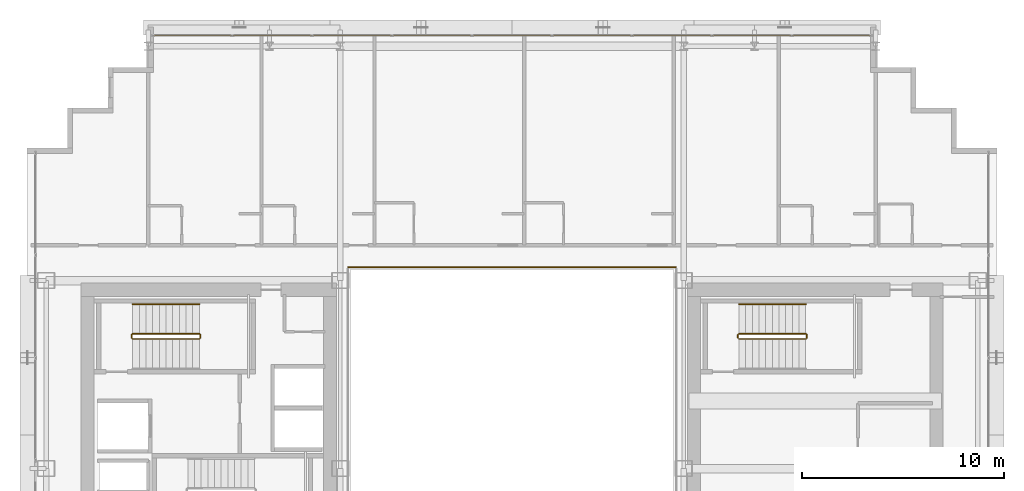
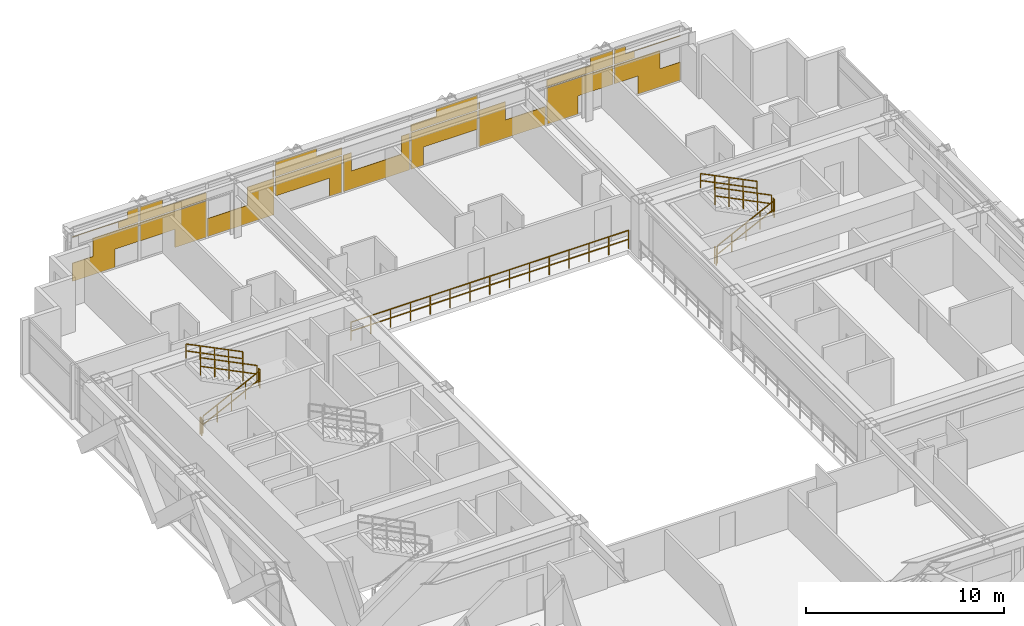
# One storey, part 35 of 35: 11 railings, 1 covering.
"""IFC4 building model written with IfcOpenShell, lengths in metres."""

from ifc_helpers import new_model, si_unit, direction, frame, origin, origin_2d, place, context, subcontext, project, spatial, rectangle, extrude, material, layer, layer_set, type_object, element, save


model = new_model("IFC4")

# Units and contexts
model_context = context("Model", 3, precision=1e-05, world=origin(), true_north=direction((0.0, 1.0)))
body_context = subcontext(model_context, "Body", "Model", "MODEL_VIEW")
ifc_project = project(units=[si_unit("LENGTHUNIT", "METRE"), si_unit("AREAUNIT", "SQUARE_METRE"), si_unit("VOLUMEUNIT", "CUBIC_METRE"), si_unit("PLANEANGLEUNIT", "RADIAN"), si_unit("MASSUNIT", "GRAM", prefix="KILO")], contexts=[model_context])

# Site, building, storey
site_placement = place(None, origin())
site = spatial("IfcSite", under=ifc_project, at=site_placement, CompositionType="ELEMENT")
building_placement = place(site_placement, origin())
building = spatial("IfcBuilding", under=site, at=building_placement, Name="Ocotamira Hotel", CompositionType="ELEMENT")
storey_placement = place(building_placement, frame((0.0, 0.0, 140.39990234375)))
storey = spatial("IfcBuildingStorey", under=building, at=storey_placement, Name="L35", CompositionType="ELEMENT", Elevation=140.39990234375)

# Covering
ifc_material_1 = material(Name="Insulated pale-metal aluminium spandrel panel", Category="aluminium")
ifc_layer = layer(ifc_material_1, 0.044921875)
ifc_layer_set = layer_set([ifc_layer], Name="Insulated pale-metal aluminium spandrel panel")
covering_type = type_object("IfcCoveringType", Name="COV-INFILL-45", PredefinedType="CLADDING", material=ifc_layer_set)
covering_placement = place(storey_placement, origin())
element("IfcCovering", 1, at=covering_placement, inside=storey, type_object=covering_type, Name="L35 Curtain Wall Infill CW-3 CW-L35-N", PredefinedType="CLADDING", context=body_context, shape_type="SweptSolid", body=[
    extrude(rectangle(XDim=2.464111328125, YDim=0.044921875, at=origin_2d()), frame((15.512451171875, 49.580078125, 0.07568359375), z_axis=(0.0, 0.0, 1.0), x_axis=(1.0, 0.0, 0.0)), (0.0, 0.0, 1.0), 1.117919921875),
    extrude(rectangle(XDim=2.650146484375, YDim=0.044921875, at=origin_2d()), frame((16.7900390625, 49.580078125, 1.1943359375), z_axis=(0.0, 0.0, 1.0), x_axis=(1.0, 0.0, 0.0)), (0.0, 0.0, 1.0), 1.117919921875),
    extrude(rectangle(XDim=3.834716796875, YDim=0.044921875, at=origin_2d()), frame((16.19775390625, 49.580078125, 2.78271484375), z_axis=(0.0, 0.0, 1.0), x_axis=(1.0, 0.0, 0.0)), (0.0, 0.0, 1.0), 0.0302734375),
    extrude(rectangle(XDim=1.157958984375, YDim=0.044921875, at=origin_2d()), frame((17.5361328125, 49.580078125, 2.38818359375), z_axis=(0.0, 0.0, 1.0), x_axis=(1.0, 0.0, 0.0)), (0.0, 0.0, 1.0), 0.3935546875),
    extrude(rectangle(XDim=0.625732421875, YDim=0.044921875, at=origin_2d()), frame((17.80224609375, 49.580078125, 2.81396484375), z_axis=(0.0, 0.0, 1.0), x_axis=(1.0, 0.0, 0.0)), (0.0, 0.0, 1.0), 0.470703125),
    extrude(rectangle(XDim=3.87451171875, YDim=0.044921875, at=origin_2d()), frame((20.13330078125, 49.580078125, 1.1943359375), z_axis=(0.0, 0.0, 1.0), x_axis=(1.0, 0.0, 0.0)), (0.0, 0.0, 1.0), 1.117919921875),
    extrude(rectangle(XDim=1.815185546875, YDim=0.044921875, at=origin_2d()), frame((21.1630859375, 49.580078125, 0.07568359375), z_axis=(0.0, 0.0, 1.0), x_axis=(1.0, 0.0, 0.0)), (0.0, 0.0, 1.0), 1.117919921875),
    extrude(rectangle(XDim=3.87451171875, YDim=0.044921875, at=origin_2d()), frame((20.13330078125, 49.580078125, 2.38818359375), z_axis=(0.0, 0.0, 1.0), x_axis=(1.0, 0.0, 0.0)), (0.0, 0.0, 1.0), 0.4248046875),
    extrude(rectangle(XDim=1.314697265625, YDim=0.044921875, at=origin_2d()), frame((18.853515625, 49.580078125, 2.81396484375), z_axis=(0.0, 0.0, 1.0), x_axis=(1.0, 0.0, 0.0)), (0.0, 0.0, 1.0), 0.470703125),
    extrude(rectangle(XDim=3.87451171875, YDim=0.044921875, at=origin_2d()), frame((24.0888671875, 49.580078125, 0.07568359375), z_axis=(0.0, 0.0, 1.0), x_axis=(1.0, 0.0, 0.0)), (0.0, 0.0, 1.0), 1.117919921875),
    extrude(rectangle(XDim=1.561279296875, YDim=0.044921875, at=origin_2d()), frame((25.24560546875, 49.580078125, 1.1943359375), z_axis=(0.0, 0.0, 1.0), x_axis=(1.0, 0.0, 0.0)), (0.0, 0.0, 1.0), 1.117919921875),
    extrude(rectangle(XDim=0.069091796875, YDim=0.044921875, at=origin_2d()), frame((25.99169921875, 49.580078125, 2.38818359375), z_axis=(0.0, 0.0, 1.0), x_axis=(1.0, 0.0, 0.0)), (0.0, 0.0, 1.0), 0.4248046875),
    extrude(rectangle(XDim=3.87451171875, YDim=0.044921875, at=origin_2d()), frame((28.04443359375, 49.580078125, 1.1943359375), z_axis=(0.0, 0.0, 1.0), x_axis=(1.0, 0.0, 0.0)), (0.0, 0.0, 1.0), 1.117919921875),
    extrude(rectangle(XDim=0.726318359375, YDim=0.044921875, at=origin_2d()), frame((29.61865234375, 49.580078125, 0.07568359375), z_axis=(0.0, 0.0, 1.0), x_axis=(1.0, 0.0, 0.0)), (0.0, 0.0, 1.0), 1.117919921875),
    extrude(rectangle(XDim=3.87451171875, YDim=0.044921875, at=origin_2d()), frame((28.04443359375, 49.580078125, 2.38818359375), z_axis=(0.0, 0.0, 1.0), x_axis=(1.0, 0.0, 0.0)), (0.0, 0.0, 1.0), 0.4248046875),
    extrude(rectangle(XDim=2.403564453125, YDim=0.044921875, at=origin_2d()), frame((27.308837890625, 49.580078125, 2.81396484375), z_axis=(0.0, 0.0, 1.0), x_axis=(1.0, 0.0, 0.0)), (0.0, 0.0, 1.0), 0.470703125),
    extrude(rectangle(XDim=3.87451171875, YDim=0.044921875, at=origin_2d()), frame((32.0, 49.580078125, 0.07568359375), z_axis=(0.0, 0.0, 1.0), x_axis=(1.0, 0.0, 0.0)), (0.0, 0.0, 1.0), 1.117919921875),
    extrude(rectangle(XDim=0.472412109375, YDim=0.044921875, at=origin_2d()), frame((30.298828125, 49.580078125, 1.1943359375), z_axis=(0.0, 0.0, 1.0), x_axis=(1.0, 0.0, 0.0)), (0.0, 0.0, 1.0), 1.117919921875),
    extrude(rectangle(XDim=0.472412109375, YDim=0.044921875, at=origin_2d()), frame((33.701171875, 49.580078125, 1.1943359375), z_axis=(0.0, 0.0, 1.0), x_axis=(1.0, 0.0, 0.0)), (0.0, 0.0, 1.0), 1.117919921875),
    extrude(rectangle(XDim=0.726318359375, YDim=0.044921875, at=origin_2d()), frame((34.38134765625, 49.580078125, 0.07568359375), z_axis=(0.0, 0.0, 1.0), x_axis=(1.0, 0.0, 0.0)), (0.0, 0.0, 1.0), 1.117919921875),
    extrude(rectangle(XDim=3.87451171875, YDim=0.044921875, at=origin_2d()), frame((35.95556640625, 49.580078125, 1.1943359375), z_axis=(0.0, 0.0, 1.0), x_axis=(1.0, 0.0, 0.0)), (0.0, 0.0, 1.0), 1.117919921875),
    extrude(rectangle(XDim=3.87451171875, YDim=0.044921875, at=origin_2d()), frame((35.95556640625, 49.580078125, 2.38818359375), z_axis=(0.0, 0.0, 1.0), x_axis=(1.0, 0.0, 0.0)), (0.0, 0.0, 1.0), 0.4248046875),
    extrude(rectangle(XDim=2.403564453125, YDim=0.044921875, at=origin_2d()), frame((36.691162109375, 49.580078125, 2.81396484375), z_axis=(0.0, 0.0, 1.0), x_axis=(1.0, 0.0, 0.0)), (0.0, 0.0, 1.0), 0.470703125),
    extrude(rectangle(XDim=3.87451171875, YDim=0.044921875, at=origin_2d()), frame((39.9111328125, 49.580078125, 0.07568359375), z_axis=(0.0, 0.0, 1.0), x_axis=(1.0, 0.0, 0.0)), (0.0, 0.0, 1.0), 1.117919921875),
    extrude(rectangle(XDim=1.561279296875, YDim=0.044921875, at=origin_2d()), frame((38.75439453125, 49.580078125, 1.1943359375), z_axis=(0.0, 0.0, 1.0), x_axis=(1.0, 0.0, 0.0)), (0.0, 0.0, 1.0), 1.117919921875),
    extrude(rectangle(XDim=0.069091796875, YDim=0.044921875, at=origin_2d()), frame((38.00830078125, 49.580078125, 2.38818359375), z_axis=(0.0, 0.0, 1.0), x_axis=(1.0, 0.0, 0.0)), (0.0, 0.0, 1.0), 0.4248046875),
    extrude(rectangle(XDim=1.815185546875, YDim=0.044921875, at=origin_2d()), frame((42.8369140625, 49.580078125, 0.07568359375), z_axis=(0.0, 0.0, 1.0), x_axis=(1.0, 0.0, 0.0)), (0.0, 0.0, 1.0), 1.117919921875),
    extrude(rectangle(XDim=3.87451171875, YDim=0.044921875, at=origin_2d()), frame((43.86669921875, 49.580078125, 1.1943359375), z_axis=(0.0, 0.0, 1.0), x_axis=(1.0, 0.0, 0.0)), (0.0, 0.0, 1.0), 1.117919921875),
    extrude(rectangle(XDim=3.87451171875, YDim=0.044921875, at=origin_2d()), frame((43.86669921875, 49.580078125, 2.38818359375), z_axis=(0.0, 0.0, 1.0), x_axis=(1.0, 0.0, 0.0)), (0.0, 0.0, 1.0), 0.4248046875),
    extrude(rectangle(XDim=1.314697265625, YDim=0.044921875, at=origin_2d()), frame((45.146484375, 49.580078125, 2.81396484375), z_axis=(0.0, 0.0, 1.0), x_axis=(1.0, 0.0, 0.0)), (0.0, 0.0, 1.0), 0.470703125),
    extrude(rectangle(XDim=2.650146484375, YDim=0.044921875, at=origin_2d()), frame((47.2099609375, 49.580078125, 1.1943359375), z_axis=(0.0, 0.0, 1.0), x_axis=(1.0, 0.0, 0.0)), (0.0, 0.0, 1.0), 1.117919921875),
    extrude(rectangle(XDim=2.464111328125, YDim=0.044921875, at=origin_2d()), frame((48.487548828125, 49.580078125, 0.07568359375), z_axis=(0.0, 0.0, 1.0), x_axis=(1.0, 0.0, 0.0)), (0.0, 0.0, 1.0), 1.117919921875),
    extrude(rectangle(XDim=1.157958984375, YDim=0.044921875, at=origin_2d()), frame((46.4638671875, 49.580078125, 2.38818359375), z_axis=(0.0, 0.0, 1.0), x_axis=(1.0, 0.0, 0.0)), (0.0, 0.0, 1.0), 0.3935546875),
    extrude(rectangle(XDim=3.834716796875, YDim=0.044921875, at=origin_2d()), frame((47.80224609375, 49.580078125, 2.78271484375), z_axis=(0.0, 0.0, 1.0), x_axis=(1.0, 0.0, 0.0)), (0.0, 0.0, 1.0), 0.0302734375),
    extrude(rectangle(XDim=0.625732421875, YDim=0.044921875, at=origin_2d()), frame((46.19775390625, 49.580078125, 2.81396484375), z_axis=(0.0, 0.0, 1.0), x_axis=(1.0, 0.0, 0.0)), (0.0, 0.0, 1.0), 0.470703125),
])

# Railings
ifc_material_2 = material(Name="Painted steel stair guardrail", Category="steel")
railing_type_1 = type_object("IfcRailingType", Name="RL-EDGE-1150", PredefinedType="GUARDRAIL", material=ifc_material_2)
railing_1_placement = place(storey_placement, frame((40.10009765625, 38.1201171875, 0.0)))
element("IfcRailing", 2, at=railing_1_placement, inside=storey, type_object=railing_type_1, Name="L35 Central Atrium Edge Guardrail N", PredefinedType="GUARDRAIL", context=body_context, shape_type="SweptSolid", body=[
    extrude(rectangle(XDim=0.048095703125, YDim=0.048095703125, at=origin_2d()), frame((0.0, 0.0, 1.1259765625), z_axis=(-1.0, 0.0, 0.0), x_axis=(0.0, -1.0, 0.0)), (0.0, 0.0, 1.0), 16.2001953125),
    extrude(rectangle(XDim=0.048095703125, YDim=0.048095703125, at=origin_2d()), frame((0.0, 0.0, 0.574951171875), z_axis=(-1.0, 0.0, 0.0), x_axis=(0.0, -1.0, 0.0)), (0.0, 0.0, 1.0), 16.2001953125),
    extrude(rectangle(XDim=0.0419921875, YDim=0.0419921875, at=origin_2d()), origin(), (0.0, 0.0, 1.0), 1.101806640625),
    extrude(rectangle(XDim=0.0419921875, YDim=0.0419921875, at=origin_2d()), frame((-1.1572265625, 0.0, 0.0)), (0.0, 0.0, 1.0), 1.101806640625),
    extrude(rectangle(XDim=0.0419921875, YDim=0.0419921875, at=origin_2d()), frame((-2.314208984375, 0.0, 0.0)), (0.0, 0.0, 1.0), 1.101806640625),
    extrude(rectangle(XDim=0.0419921875, YDim=0.0419921875, at=origin_2d()), frame((-3.471435546875, 0.0, 0.0)), (0.0, 0.0, 1.0), 1.101806640625),
    extrude(rectangle(XDim=0.0419921875, YDim=0.0419921875, at=origin_2d()), frame((-4.628662109375, 0.0, 0.0)), (0.0, 0.0, 1.0), 1.101806640625),
    extrude(rectangle(XDim=0.0419921875, YDim=0.0419921875, at=origin_2d()), frame((-5.785888671875, 0.0, 0.0)), (0.0, 0.0, 1.0), 1.101806640625),
    extrude(rectangle(XDim=0.0419921875, YDim=0.0419921875, at=origin_2d()), frame((-6.94287109375, 0.0, 0.0)), (0.0, 0.0, 1.0), 1.101806640625),
    extrude(rectangle(XDim=0.0419921875, YDim=0.0419921875, at=origin_2d()), frame((-8.10009765625, 0.0, 0.0)), (0.0, 0.0, 1.0), 1.101806640625),
    extrude(rectangle(XDim=0.0419921875, YDim=0.0419921875, at=origin_2d()), frame((-9.25732421875, 0.0, 0.0)), (0.0, 0.0, 1.0), 1.101806640625),
    extrude(rectangle(XDim=0.0419921875, YDim=0.0419921875, at=origin_2d()), frame((-10.414306640625, 0.0, 0.0)), (0.0, 0.0, 1.0), 1.101806640625),
    extrude(rectangle(XDim=0.0419921875, YDim=0.0419921875, at=origin_2d()), frame((-11.571533203125, 0.0, 0.0)), (0.0, 0.0, 1.0), 1.101806640625),
    extrude(rectangle(XDim=0.0419921875, YDim=0.0419921875, at=origin_2d()), frame((-12.728759765625, 0.0, 0.0)), (0.0, 0.0, 1.0), 1.101806640625),
    extrude(rectangle(XDim=0.0419921875, YDim=0.0419921875, at=origin_2d()), frame((-13.885986328125, 0.0, 0.0)), (0.0, 0.0, 1.0), 1.101806640625),
    extrude(rectangle(XDim=0.0419921875, YDim=0.0419921875, at=origin_2d()), frame((-15.04296875, 0.0, 0.0)), (0.0, 0.0, 1.0), 1.101806640625),
    extrude(rectangle(XDim=0.0419921875, YDim=0.0419921875, at=origin_2d()), frame((-16.2001953125, 0.0, 0.0)), (0.0, 0.0, 1.0), 1.101806640625),
])
ifc_material_3 = material(Name="Brushed stainless steel handrail", Category="steel")
railing_type_2 = type_object("IfcRailingType", Name="RL-HAND-900", PredefinedType="HANDRAIL", material=ifc_material_3)
for number, where, name in (
    (3, (16.530029296875, 36.280029296875, 2.12744140625), "L35 ST-2 stair handrail 2"),
    (4, (46.530029296875, 36.280029296875, 2.12744140625), "L35 ST-4 stair handrail 2"),
):
    element("IfcRailing", number, at=place(storey_placement, frame(where)), inside=storey, type_object=railing_type_2, Name=name, PredefinedType="HANDRAIL", context=body_context, shape_type="SweptSolid", body=[
        extrude(rectangle(XDim=0.048095703125, YDim=0.048095703125, at=origin_2d()), frame((0.0, 0.0, 0.8759765625), z_axis=(-0.895920123917, 0.0, 0.444215186098), x_axis=(0.0, -1.0, 0.0)), (0.0, 0.0, 1.0), 3.683349609375),
        extrude(rectangle(XDim=0.048095703125, YDim=0.048095703125, at=origin_2d()), frame((0.0, 0.0, 0.449951171875), z_axis=(-0.895920123917, 0.0, 0.444215186098), x_axis=(0.0, -1.0, 0.0)), (0.0, 0.0, 1.0), 3.683349609375),
        extrude(rectangle(XDim=0.0419921875, YDim=0.0419921875, at=origin_2d()), origin(), (0.0, 0.0, 1.0), 0.851806640625),
        extrude(rectangle(XDim=0.0419921875, YDim=0.0419921875, at=origin_2d()), frame((-0.824951171875, 0.0, 0.4091796875)), (0.0, 0.0, 1.0), 0.851806640625),
        extrude(rectangle(XDim=0.0419921875, YDim=0.0419921875, at=origin_2d()), frame((-1.64990234375, 0.0, 0.818115234375)), (0.0, 0.0, 1.0), 0.851806640625),
        extrude(rectangle(XDim=0.0419921875, YDim=0.0419921875, at=origin_2d()), frame((-2.47509765625, 0.0, 1.22705078125)), (0.0, 0.0, 1.0), 0.851806640625),
        extrude(rectangle(XDim=0.0419921875, YDim=0.0419921875, at=origin_2d()), frame((-3.300048828125, 0.0, 1.63623046875)), (0.0, 0.0, 1.0), 0.851806640625),
    ])
railing_type_3 = type_object("IfcRailingType", Name="RL-STAIR-1100", PredefinedType="GUARDRAIL", material=ifc_material_2)
railing_2_placement = place(storey_placement, frame((13.22998046875, 34.56005859375, 0.163818359375)))
element("IfcRailing", 5, at=railing_2_placement, inside=storey, type_object=railing_type_3, Name="L35 ST-2 stair guard 1", PredefinedType="GUARDRAIL", context=body_context, shape_type="SweptSolid", body=[
    extrude(rectangle(XDim=0.048095703125, YDim=0.048095703125, at=origin_2d()), frame((0.0, 0.0, 1.076171875), z_axis=(0.895920123917, 0.0, 0.444215186098), x_axis=(0.0, 1.0, 0.0)), (0.0, 0.0, 1.0), 3.683349609375),
    extrude(rectangle(XDim=0.048095703125, YDim=0.048095703125, at=origin_2d()), frame((0.0, 0.0, 0.550048828125), z_axis=(0.895920123917, 0.0, 0.444215186098), x_axis=(0.0, 1.0, 0.0)), (0.0, 0.0, 1.0), 3.683349609375),
    extrude(rectangle(XDim=0.0419921875, YDim=0.0419921875, at=origin_2d()), origin(), (0.0, 0.0, 1.0), 1.052001953125),
    extrude(rectangle(XDim=0.0419921875, YDim=0.0419921875, at=origin_2d()), frame((0.824951171875, 0.0, 0.4091796875)), (0.0, 0.0, 1.0), 1.052001953125),
    extrude(rectangle(XDim=0.0419921875, YDim=0.0419921875, at=origin_2d()), frame((1.64990234375, 0.0, 0.818115234375)), (0.0, 0.0, 1.0), 1.052001953125),
    extrude(rectangle(XDim=0.0419921875, YDim=0.0419921875, at=origin_2d()), frame((2.47509765625, 0.0, 1.22705078125)), (0.0, 0.0, 1.0), 1.052001953125),
    extrude(rectangle(XDim=0.0419921875, YDim=0.0419921875, at=origin_2d()), frame((3.300048828125, 0.0, 1.63623046875)), (0.0, 0.0, 1.0), 1.052001953125),
])
railing_3_placement = place(storey_placement, frame((16.580078125, 34.610107421875, 1.800048828125)))
element("IfcRailing", 6, at=railing_3_placement, inside=storey, type_object=railing_type_3, Name="L35 ST-2 stair guard 2", PredefinedType="GUARDRAIL", context=body_context, shape_type="SweptSolid", body=[
    extrude(rectangle(XDim=0.048095703125, YDim=0.048095703125, at=origin_2d()), frame((0.0, 0.0, 1.076171875), z_axis=(0.0, 1.0, 0.0), x_axis=(-1.0, 0.0, 0.0)), (0.0, 0.0, 1.0), 0.159912109375),
    extrude(rectangle(XDim=0.048095703125, YDim=0.048095703125, at=origin_2d()), frame((0.0, 0.0, 0.550048828125), z_axis=(0.0, 1.0, 0.0), x_axis=(-1.0, 0.0, 0.0)), (0.0, 0.0, 1.0), 0.159912109375),
    extrude(rectangle(XDim=0.0419921875, YDim=0.0419921875, at=origin_2d()), origin(), (0.0, 0.0, 1.0), 1.052001953125),
    extrude(rectangle(XDim=0.0419921875, YDim=0.0419921875, at=origin_2d()), frame((0.0, 0.159912109375, 0.0)), (0.0, 0.0, 1.0), 1.052001953125),
])
railing_4_placement = place(storey_placement, frame((16.530029296875, 34.820068359375, 1.963623046875)))
element("IfcRailing", 7, at=railing_4_placement, inside=storey, type_object=railing_type_3, Name="L35 ST-2 stair guard 3", PredefinedType="GUARDRAIL", context=body_context, shape_type="SweptSolid", body=[
    extrude(rectangle(XDim=0.048095703125, YDim=0.048095703125, at=origin_2d()), frame((0.0, 0.0, 1.076171875), z_axis=(-0.895893744519, 0.0, 0.4442683857), x_axis=(0.0, -1.0, 0.0)), (0.0, 0.0, 1.0), 3.68359375),
    extrude(rectangle(XDim=0.048095703125, YDim=0.048095703125, at=origin_2d()), frame((0.0, 0.0, 0.550048828125), z_axis=(-0.895893744519, 0.0, 0.4442683857), x_axis=(0.0, -1.0, 0.0)), (0.0, 0.0, 1.0), 3.68359375),
    extrude(rectangle(XDim=0.0419921875, YDim=0.0419921875, at=origin_2d()), origin(), (0.0, 0.0, 1.0), 1.052001953125),
    extrude(rectangle(XDim=0.0419921875, YDim=0.0419921875, at=origin_2d()), frame((-0.824951171875, 0.0, 0.4091796875)), (0.0, 0.0, 1.0), 1.052001953125),
    extrude(rectangle(XDim=0.0419921875, YDim=0.0419921875, at=origin_2d()), frame((-1.64990234375, 0.0, 0.818359375)), (0.0, 0.0, 1.0), 1.052001953125),
    extrude(rectangle(XDim=0.0419921875, YDim=0.0419921875, at=origin_2d()), frame((-2.47509765625, 0.0, 1.227294921875)), (0.0, 0.0, 1.0), 1.052001953125),
    extrude(rectangle(XDim=0.0419921875, YDim=0.0419921875, at=origin_2d()), frame((-3.300048828125, 0.0, 1.636474609375)), (0.0, 0.0, 1.0), 1.052001953125),
])
railing_5_placement = place(storey_placement, frame((13.179931640625, 34.610107421875, 0.0)))
element("IfcRailing", 8, at=railing_5_placement, inside=storey, type_object=railing_type_3, Name="L35 ST-2 stair guard 4", PredefinedType="GUARDRAIL", context=body_context, shape_type="SweptSolid", body=[
    extrude(rectangle(XDim=0.048095703125, YDim=0.048095703125, at=origin_2d()), frame((0.0, 0.0, 1.076171875), z_axis=(0.0, 1.0, 0.0), x_axis=(-1.0, 0.0, 0.0)), (0.0, 0.0, 1.0), 0.159912109375),
    extrude(rectangle(XDim=0.048095703125, YDim=0.048095703125, at=origin_2d()), frame((0.0, 0.0, 0.550048828125), z_axis=(0.0, 1.0, 0.0), x_axis=(-1.0, 0.0, 0.0)), (0.0, 0.0, 1.0), 0.159912109375),
    extrude(rectangle(XDim=0.0419921875, YDim=0.0419921875, at=origin_2d()), origin(), (0.0, 0.0, 1.0), 1.052001953125),
    extrude(rectangle(XDim=0.0419921875, YDim=0.0419921875, at=origin_2d()), frame((0.0, 0.159912109375, 0.0)), (0.0, 0.0, 1.0), 1.052001953125),
])
railing_6_placement = place(storey_placement, frame((43.22998046875, 34.56005859375, 0.163818359375)))
element("IfcRailing", 9, at=railing_6_placement, inside=storey, type_object=railing_type_3, Name="L35 ST-4 stair guard 1", PredefinedType="GUARDRAIL", context=body_context, shape_type="SweptSolid", body=[
    extrude(rectangle(XDim=0.048095703125, YDim=0.048095703125, at=origin_2d()), frame((0.0, 0.0, 1.076171875), z_axis=(0.895920123917, 0.0, 0.444215186098), x_axis=(0.0, 1.0, 0.0)), (0.0, 0.0, 1.0), 3.683349609375),
    extrude(rectangle(XDim=0.048095703125, YDim=0.048095703125, at=origin_2d()), frame((0.0, 0.0, 0.550048828125), z_axis=(0.895920123917, 0.0, 0.444215186098), x_axis=(0.0, 1.0, 0.0)), (0.0, 0.0, 1.0), 3.683349609375),
    extrude(rectangle(XDim=0.0419921875, YDim=0.0419921875, at=origin_2d()), origin(), (0.0, 0.0, 1.0), 1.052001953125),
    extrude(rectangle(XDim=0.0419921875, YDim=0.0419921875, at=origin_2d()), frame((0.824951171875, 0.0, 0.4091796875)), (0.0, 0.0, 1.0), 1.052001953125),
    extrude(rectangle(XDim=0.0419921875, YDim=0.0419921875, at=origin_2d()), frame((1.64990234375, 0.0, 0.818115234375)), (0.0, 0.0, 1.0), 1.052001953125),
    extrude(rectangle(XDim=0.0419921875, YDim=0.0419921875, at=origin_2d()), frame((2.47509765625, 0.0, 1.22705078125)), (0.0, 0.0, 1.0), 1.052001953125),
    extrude(rectangle(XDim=0.0419921875, YDim=0.0419921875, at=origin_2d()), frame((3.300048828125, 0.0, 1.63623046875)), (0.0, 0.0, 1.0), 1.052001953125),
])
railing_7_placement = place(storey_placement, frame((46.580078125, 34.610107421875, 1.800048828125)))
element("IfcRailing", 10, at=railing_7_placement, inside=storey, type_object=railing_type_3, Name="L35 ST-4 stair guard 2", PredefinedType="GUARDRAIL", context=body_context, shape_type="SweptSolid", body=[
    extrude(rectangle(XDim=0.048095703125, YDim=0.048095703125, at=origin_2d()), frame((0.0, 0.0, 1.076171875), z_axis=(0.0, 1.0, 0.0), x_axis=(-1.0, 0.0, 0.0)), (0.0, 0.0, 1.0), 0.159912109375),
    extrude(rectangle(XDim=0.048095703125, YDim=0.048095703125, at=origin_2d()), frame((0.0, 0.0, 0.550048828125), z_axis=(0.0, 1.0, 0.0), x_axis=(-1.0, 0.0, 0.0)), (0.0, 0.0, 1.0), 0.159912109375),
    extrude(rectangle(XDim=0.0419921875, YDim=0.0419921875, at=origin_2d()), origin(), (0.0, 0.0, 1.0), 1.052001953125),
    extrude(rectangle(XDim=0.0419921875, YDim=0.0419921875, at=origin_2d()), frame((0.0, 0.159912109375, 0.0)), (0.0, 0.0, 1.0), 1.052001953125),
])
railing_8_placement = place(storey_placement, frame((46.530029296875, 34.820068359375, 1.963623046875)))
element("IfcRailing", 11, at=railing_8_placement, inside=storey, type_object=railing_type_3, Name="L35 ST-4 stair guard 3", PredefinedType="GUARDRAIL", context=body_context, shape_type="SweptSolid", body=[
    extrude(rectangle(XDim=0.048095703125, YDim=0.048095703125, at=origin_2d()), frame((0.0, 0.0, 1.076171875), z_axis=(-0.895893744519, 0.0, 0.4442683857), x_axis=(0.0, -1.0, 0.0)), (0.0, 0.0, 1.0), 3.68359375),
    extrude(rectangle(XDim=0.048095703125, YDim=0.048095703125, at=origin_2d()), frame((0.0, 0.0, 0.550048828125), z_axis=(-0.895893744519, 0.0, 0.4442683857), x_axis=(0.0, -1.0, 0.0)), (0.0, 0.0, 1.0), 3.68359375),
    extrude(rectangle(XDim=0.0419921875, YDim=0.0419921875, at=origin_2d()), origin(), (0.0, 0.0, 1.0), 1.052001953125),
    extrude(rectangle(XDim=0.0419921875, YDim=0.0419921875, at=origin_2d()), frame((-0.824951171875, 0.0, 0.4091796875)), (0.0, 0.0, 1.0), 1.052001953125),
    extrude(rectangle(XDim=0.0419921875, YDim=0.0419921875, at=origin_2d()), frame((-1.64990234375, 0.0, 0.818359375)), (0.0, 0.0, 1.0), 1.052001953125),
    extrude(rectangle(XDim=0.0419921875, YDim=0.0419921875, at=origin_2d()), frame((-2.47509765625, 0.0, 1.227294921875)), (0.0, 0.0, 1.0), 1.052001953125),
    extrude(rectangle(XDim=0.0419921875, YDim=0.0419921875, at=origin_2d()), frame((-3.300048828125, 0.0, 1.636474609375)), (0.0, 0.0, 1.0), 1.052001953125),
])
railing_9_placement = place(storey_placement, frame((43.179931640625, 34.610107421875, 0.0)))
element("IfcRailing", 12, at=railing_9_placement, inside=storey, type_object=railing_type_3, Name="L35 ST-4 stair guard 4", PredefinedType="GUARDRAIL", context=body_context, shape_type="SweptSolid", body=[
    extrude(rectangle(XDim=0.048095703125, YDim=0.048095703125, at=origin_2d()), frame((0.0, 0.0, 1.076171875), z_axis=(0.0, 1.0, 0.0), x_axis=(-1.0, 0.0, 0.0)), (0.0, 0.0, 1.0), 0.159912109375),
    extrude(rectangle(XDim=0.048095703125, YDim=0.048095703125, at=origin_2d()), frame((0.0, 0.0, 0.550048828125), z_axis=(0.0, 1.0, 0.0), x_axis=(-1.0, 0.0, 0.0)), (0.0, 0.0, 1.0), 0.159912109375),
    extrude(rectangle(XDim=0.0419921875, YDim=0.0419921875, at=origin_2d()), origin(), (0.0, 0.0, 1.0), 1.052001953125),
    extrude(rectangle(XDim=0.0419921875, YDim=0.0419921875, at=origin_2d()), frame((0.0, 0.159912109375, 0.0)), (0.0, 0.0, 1.0), 1.052001953125),
])

save(model, "model.ifc")
